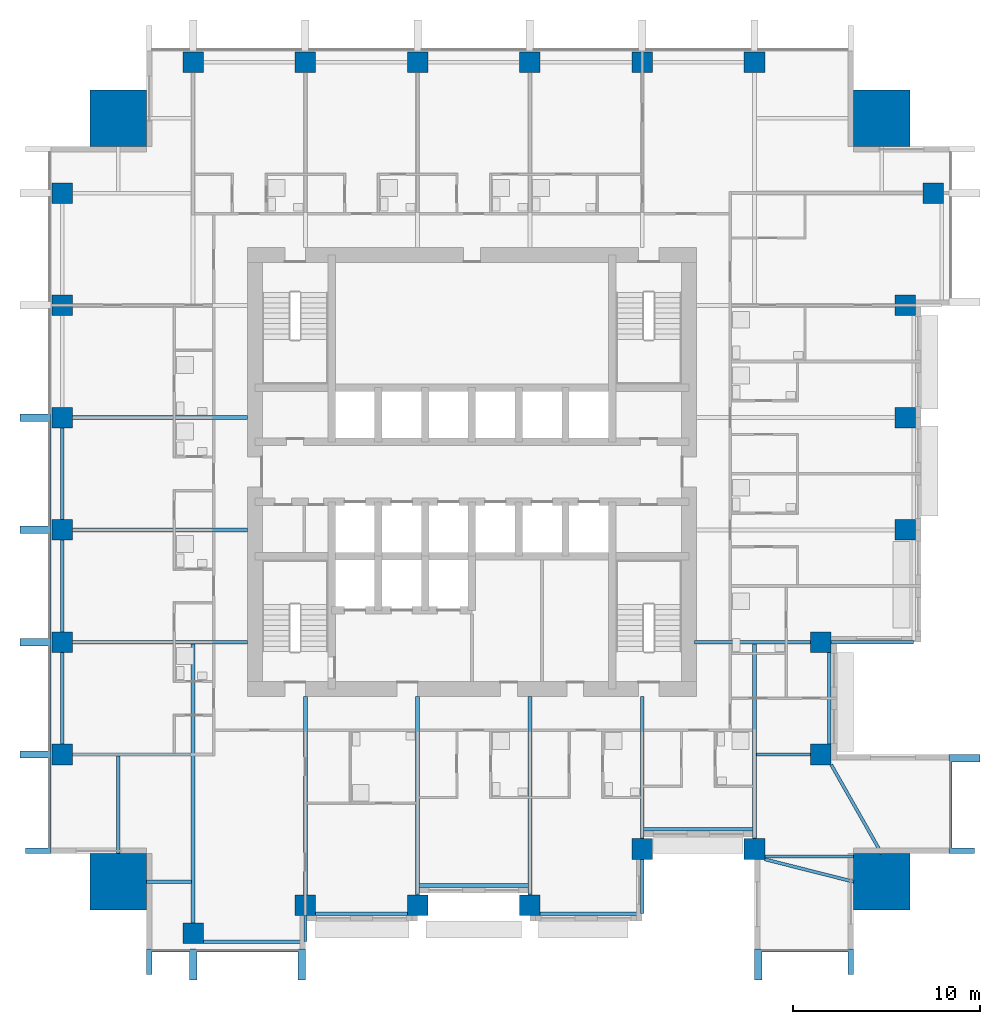
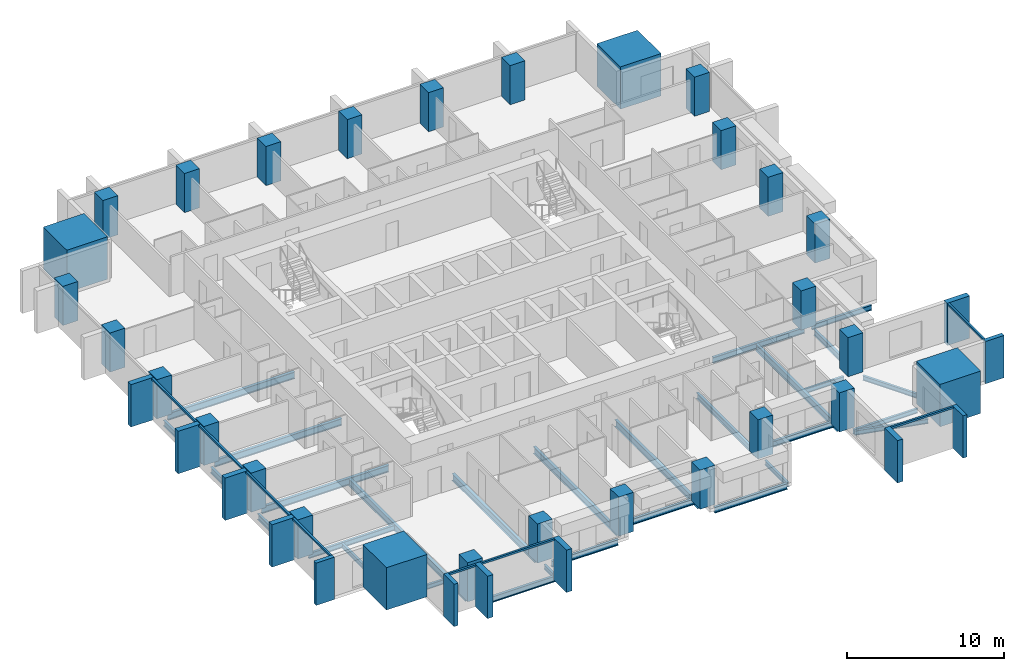
# One storey, part 1 of 11: 29 beams, 28 columns, 20 members, 4 elements without a shape of their own.
"""IFC4 building model written with IfcOpenShell, lengths in metres."""

from ifc_helpers import new_model, si_unit, direction, frame, origin, origin_2d, place, context, subcontext, project, spatial, rectangle, i_section, extrude, material, material_profile, profile_set, type_object, element, aggregate, save


model = new_model("IFC4")

# Units and contexts
model_context = context("Model", 3, precision=1e-05, world=origin(), true_north=direction((0.0, 1.0)))
body_context = subcontext(model_context, "Body", "Model", "MODEL_VIEW")
ifc_project = project(units=[si_unit("LENGTHUNIT", "METRE"), si_unit("AREAUNIT", "SQUARE_METRE"), si_unit("VOLUMEUNIT", "CUBIC_METRE"), si_unit("PLANEANGLEUNIT", "RADIAN"), si_unit("MASSUNIT", "GRAM", prefix="KILO")], contexts=[model_context])

# Site, building, storey
site_placement = place(None, origin())
site = spatial("IfcSite", under=ifc_project, at=site_placement, CompositionType="ELEMENT")
building_placement = place(site_placement, origin())
building = spatial("IfcBuilding", under=site, at=building_placement, Name="Amberfall Residences", CompositionType="ELEMENT")
storey_placement = place(building_placement, frame((0.0, 0.0, 95.199951171875)))
storey = spatial("IfcBuildingStorey", under=building, at=storey_placement, Name="L25", CompositionType="ELEMENT", Elevation=95.199951171875)

# Columns
ifc_material_1 = material(Name="Concrete C70", Category="concrete")
ifc_material_profile_1 = material_profile(ifc_material_1, rectangle(XDim=1.10009765625, YDim=1.10009765625, at=origin_2d()), Name="Column 1100 x 1100 C70")
ifc_profile_set_1 = profile_set([ifc_material_profile_1], Name="Concrete C70")
column_type_1 = type_object("IfcColumnType", Name="Column 1100 x 1100 C70", PredefinedType="COLUMN", material=ifc_profile_set_1)
for number, where, z_axis, x_axis, name in (
    (1, (59.60009765625, 20.85009765625, 0.0), (0.0, 0.0, 1.0), (1.0, 0.0, 0.0), "Column C2 L25 S1"),
    (2, (65.60009765625, 22.35009765625, 0.0), (0.0, 0.0, 1.0), (1.0, 0.0, 0.0), "Column C2 L25 S2"),
    (3, (71.60009765625, 22.35009765625, 0.0), (0.0, 0.0, 1.0), (1.0, 0.0, 0.0), "Column C2 L25 S3"),
    (4, (77.60009765625, 22.35009765625, 0.0), (0.0, 0.0, 1.0), (1.0, 0.0, 0.0), "Column C2 L25 S4"),
    (5, (83.60009765625, 25.35009765625, 0.0), (0.0, 0.0, 1.0), (1.0, 0.0, 0.0), "Column C2 L25 S5"),
    (6, (89.60009765625, 25.35009765625, 0.0), (0.0, 0.0, 1.0), (1.0, 0.0, 0.0), "Column C2 L25 S6"),
    (7, (93.14990234375, 30.39990234375, 0.0), (0.0, 0.0, 1.0), (1.0, 0.0, 0.0), "Column C2 L25 E1"),
    (8, (93.14990234375, 36.39990234375, 0.0), (0.0, 0.0, 1.0), (1.0, 0.0, 0.0), "Column C2 L25 E2"),
    (9, (97.64990234375, 42.39990234375, 0.0), (0.0, 0.0, 1.0), (1.0, 0.0, 0.0), "Column C2 L25 E3"),
    (10, (97.64990234375, 48.39990234375, 0.0), (0.0, 0.0, 1.0), (1.0, 0.0, 0.0), "Column C2 L25 E4"),
    (11, (97.64990234375, 54.39990234375, 0.0), (0.0, 0.0, 1.0), (1.0, 0.0, 0.0), "Column C2 L25 E5"),
    (12, (99.14990234375, 60.39990234375, 0.0), (0.0, 0.0, 1.0), (1.0, 0.0, 0.0), "Column C2 L25 E6"),
    (13, (59.60009765625, 67.39990234375, 0.0), (0.0, 0.0, 1.0), (1.0, 0.0, 0.0), "Column C2 L25 N1"),
    (14, (65.60009765625, 67.39990234375, 0.0), (0.0, 0.0, 1.0), (1.0, 0.0, 0.0), "Column C2 L25 N2"),
    (15, (71.60009765625, 67.39990234375, 0.0), (0.0, 0.0, 1.0), (1.0, 0.0, 0.0), "Column C2 L25 N3"),
    (16, (77.60009765625, 67.39990234375, 0.0), (0.0, 0.0, 1.0), (1.0, 0.0, 0.0), "Column C2 L25 N4"),
    (17, (83.60009765625, 67.39990234375, 0.0), (0.0, 0.0, 1.0), (1.0, 0.0, 0.0), "Column C2 L25 N5"),
    (18, (89.60009765625, 67.39990234375, 0.0), (0.0, 0.0, 1.0), (1.0, 0.0, 0.0), "Column C2 L25 N6"),
    (19, (52.60009765625, 30.39990234375, 0.0), (0.0, 0.0, 1.0), (1.0, 0.0, 0.0), "Column C2 L25 W1"),
    (20, (52.60009765625, 36.39990234375, 0.0), (0.0, 0.0, 1.0), (1.0, 0.0, 0.0), "Column C2 L25 W2"),
    (21, (52.60009765625, 42.39990234375, 0.0), (0.0, 0.0, 1.0), (1.0, 0.0, 0.0), "Column C2 L25 W3"),
    (22, (52.60009765625, 48.39990234375, 0.0), (0.0, 0.0, 1.0), (1.0, 0.0, 0.0), "Column C2 L25 W4"),
    (23, (52.60009765625, 54.39990234375, 0.0), (0.0, 0.0, 1.0), (1.0, 0.0, 0.0), "Column C2 L25 W5"),
    (24, (52.60009765625, 60.39990234375, 0.0), (0.0, 0.0, 1.0), (1.0, 0.0, 0.0), "Column C2 L25 W6"),
):
    element("IfcColumn", number, at=place(storey_placement, frame(where, z_axis=z_axis, x_axis=x_axis)), inside=storey, type_object=column_type_1, Name=name, PredefinedType="COLUMN", context=body_context, shape_type="SweptSolid", body=[
        extrude(rectangle(XDim=1.10009765625, YDim=1.10009765625, at=origin_2d()), origin(), (0.0, 0.0, 1.0), 3.050048828125),
    ])
ifc_material_profile_2 = material_profile(ifc_material_1, rectangle(XDim=3.0, YDim=3.0, at=origin_2d()), Name="Mega column 3000 x 3000 C70")
ifc_profile_set_2 = profile_set([ifc_material_profile_2], Name="Concrete C70")
column_type_2 = type_object("IfcColumnType", Name="Mega column 3000 x 3000 C70", PredefinedType="COLUMN", material=ifc_profile_set_2)
for number, where, z_axis, x_axis, name in (
    (25, (55.60009765625, 23.60009765625, 0.0), (0.0, 0.0, 1.0), (1.0, 0.0, 0.0), "Mega column MC2 L25 SW"),
    (26, (96.39990234375, 23.60009765625, 0.0), (0.0, 0.0, 1.0), (1.0, 0.0, 0.0), "Mega column MC2 L25 SE"),
    (27, (96.39990234375, 64.39990234375, 0.0), (0.0, 0.0, 1.0), (1.0, 0.0, 0.0), "Mega column MC2 L25 NE"),
    (28, (55.60009765625, 64.39990234375, 0.0), (0.0, 0.0, 1.0), (1.0, 0.0, 0.0), "Mega column MC2 L25 NW"),
):
    element("IfcColumn", number, at=place(storey_placement, frame(where, z_axis=z_axis, x_axis=x_axis)), inside=storey, type_object=column_type_2, Name=name, PredefinedType="COLUMN", context=body_context, shape_type="SweptSolid", body=[
        extrude(rectangle(XDim=3.0, YDim=3.0, at=origin_2d()), origin(), (0.0, 0.0, 1.0), 3.300048828125),
    ])

# Curtain wall, members
ifc_material_2 = material(Name="Bronze anodised aluminium and glass", Category="aluminium")
curtain_wall_type = type_object("IfcCurtainWallType", Name="Curtain wall CW1 tower unit", PredefinedType="USERDEFINED", material=ifc_material_2)
curtain_wall_1_placement = place(storey_placement, origin())
curtain_wall_1 = element("IfcCurtainWall", 29, at=curtain_wall_1_placement, inside=storey, type_object=curtain_wall_type, Name="Curtain wall L25 S S1", ObjectType="UNITISED CURTAIN WALL", PredefinedType="USERDEFINED")
ifc_material_3 = material(Name="Bronze anodised aluminium", Category="aluminium")
ifc_material_profile_3 = material_profile(ifc_material_3, rectangle(XDim=0.14990234375, YDim=0.14990234375, at=origin_2d()), Name="CW1 transom 150 x 150 bronze")
ifc_profile_set_3 = profile_set([ifc_material_profile_3], Name="Bronze anodised aluminium")
member_type_1 = type_object("IfcMemberType", Name="CW1 transom 150 x 150 bronze", PredefinedType="USERDEFINED", material=ifc_profile_set_3)
member_1_placement = place(storey_placement, frame((57.39990234375, 19.925048828125, 2.97509765625), z_axis=(1.0, 0.0, 0.0), x_axis=(0.0, 1.0, 0.0)))
member_1 = element("IfcMember", 30, at=member_1_placement, type_object=member_type_1, Name="CW1 transom 1.1", ObjectType="TRANSOM", PredefinedType="USERDEFINED", context=body_context, shape_type="SweptSolid", body=[
    extrude(rectangle(XDim=0.14990234375, YDim=0.14990234375, at=origin_2d()), origin(), (0.0, 0.0, 1.0), 2.0),
])
member_2_placement = place(storey_placement, frame((59.800048828125, 19.925048828125, 2.97509765625), z_axis=(1.0, 0.0, 0.0), x_axis=(0.0, 1.0, 0.0)))
member_2 = element("IfcMember", 31, at=member_2_placement, type_object=member_type_1, Name="CW1 transom 2.1", ObjectType="TRANSOM", PredefinedType="USERDEFINED", context=body_context, shape_type="SweptSolid", body=[
    extrude(rectangle(XDim=0.14990234375, YDim=0.14990234375, at=origin_2d()), origin(), (0.0, 0.0, 1.0), 5.39990234375),
])

# Curtain wall, member
curtain_wall_2_placement = place(storey_placement, origin())
curtain_wall_2 = element("IfcCurtainWall", 32, at=curtain_wall_2_placement, inside=storey, type_object=curtain_wall_type, Name="Curtain wall L25 S S11", ObjectType="UNITISED CURTAIN WALL", PredefinedType="USERDEFINED")
member_3_placement = place(storey_placement, frame((90.0, 19.925048828125, 2.97509765625), z_axis=(1.0, 0.0, 0.0), x_axis=(0.0, 1.0, 0.0)))
member_3 = element("IfcMember", 33, at=member_3_placement, type_object=member_type_1, Name="CW1 transom 1.1", ObjectType="TRANSOM", PredefinedType="USERDEFINED", context=body_context, shape_type="SweptSolid", body=[
    extrude(rectangle(XDim=0.14990234375, YDim=0.14990234375, at=origin_2d()), origin(), (0.0, 0.0, 1.0), 4.60009765625),
])

curtain_wall_3_placement = place(storey_placement, origin())
curtain_wall_3 = element("IfcCurtainWall", 34, at=curtain_wall_3_placement, inside=storey, type_object=curtain_wall_type, Name="Curtain wall L25 E E1", ObjectType="UNITISED CURTAIN WALL", PredefinedType="USERDEFINED")
member_4_placement = place(storey_placement, frame((100.074951171875, 25.39990234375, 2.97509765625), z_axis=(0.0, 1.0, 0.0), x_axis=(-1.0, 0.0, 0.0)))
member_4 = element("IfcMember", 35, at=member_4_placement, type_object=member_type_1, Name="CW1 transom 1.1", ObjectType="TRANSOM", PredefinedType="USERDEFINED", context=body_context, shape_type="SweptSolid", body=[
    extrude(rectangle(XDim=0.14990234375, YDim=0.14990234375, at=origin_2d()), origin(), (0.0, 0.0, 1.0), 4.60009765625),
])

# Curtain wall, members
curtain_wall_4_placement = place(storey_placement, origin())
curtain_wall_4 = element("IfcCurtainWall", 36, at=curtain_wall_4_placement, inside=storey, type_object=curtain_wall_type, Name="Curtain wall L25 W W1", ObjectType="UNITISED CURTAIN WALL", PredefinedType="USERDEFINED")
member_5_placement = place(storey_placement, frame((51.925048828125, 48.199951171875, 2.97509765625), z_axis=(0.0, -1.0, 0.0), x_axis=(1.0, 0.0, 0.0)))
member_5 = element("IfcMember", 37, at=member_5_placement, type_object=member_type_1, Name="CW1 transom 4.1", ObjectType="TRANSOM", PredefinedType="USERDEFINED", context=body_context, shape_type="SweptSolid", body=[
    extrude(rectangle(XDim=0.14990234375, YDim=0.14990234375, at=origin_2d()), origin(), (0.0, 0.0, 1.0), 5.599853515625),
])
member_6_placement = place(storey_placement, frame((51.925048828125, 42.199951171875, 2.97509765625), z_axis=(0.0, -1.0, 0.0), x_axis=(1.0, 0.0, 0.0)))
member_6 = element("IfcMember", 38, at=member_6_placement, type_object=member_type_1, Name="CW1 transom 5.1", ObjectType="TRANSOM", PredefinedType="USERDEFINED", context=body_context, shape_type="SweptSolid", body=[
    extrude(rectangle(XDim=0.14990234375, YDim=0.14990234375, at=origin_2d()), origin(), (0.0, 0.0, 1.0), 5.599853515625),
])
member_7_placement = place(storey_placement, frame((51.925048828125, 36.199951171875, 2.97509765625), z_axis=(0.0, -1.0, 0.0), x_axis=(1.0, 0.0, 0.0)))
member_7 = element("IfcMember", 39, at=member_7_placement, type_object=member_type_1, Name="CW1 transom 6.1", ObjectType="TRANSOM", PredefinedType="USERDEFINED", context=body_context, shape_type="SweptSolid", body=[
    extrude(rectangle(XDim=0.14990234375, YDim=0.14990234375, at=origin_2d()), origin(), (0.0, 0.0, 1.0), 5.599853515625),
])
member_8_placement = place(storey_placement, frame((51.925048828125, 30.199951171875, 2.97509765625), z_axis=(0.0, -1.0, 0.0), x_axis=(1.0, 0.0, 0.0)))
member_8 = element("IfcMember", 40, at=member_8_placement, type_object=member_type_1, Name="CW1 transom 7.1", ObjectType="TRANSOM", PredefinedType="USERDEFINED", context=body_context, shape_type="SweptSolid", body=[
    extrude(rectangle(XDim=0.14990234375, YDim=0.14990234375, at=origin_2d()), origin(), (0.0, 0.0, 1.0), 4.800048828125),
])

# Beams
ifc_material_4 = material(Name="Steel S355", Category="steel")
ifc_material_profile_4 = material_profile(ifc_material_4, i_section(OverallWidth=0.171142578125, OverallDepth=0.351318359375, WebThickness=0.007080078125, FlangeThickness=0.009765625, FilletRadius=0.01025390625, at=origin_2d()), Name="UB 356x171x45")
ifc_profile_set_4 = profile_set([ifc_material_profile_4], Name="Steel S355")
beam_type_1 = type_object("IfcBeamType", Name="Cantilever girder UB 356x171x45", PredefinedType="BEAM", material=ifc_profile_set_4)
beam_1_placement = place(storey_placement, frame((65.60009765625, 21.800048828125, -0.425537109375), z_axis=(0.0, -1.0, 0.0), x_axis=(1.0, 0.0, 0.0)))
element("IfcBeam", 41, at=beam_1_placement, inside=storey, type_object=beam_type_1, Name="Cantilever girder B8 L25 06", PredefinedType="BEAM", context=body_context, shape_type="SweptSolid", body=[
    extrude(i_section(OverallWidth=0.171142578125, OverallDepth=0.351318359375, WebThickness=0.007080078125, FlangeThickness=0.009765625, FilletRadius=0.01025390625, at=origin_2d()), origin(), (0.0, 0.0, 1.0), 1.400146484375),
])
beam_2_placement = place(storey_placement, frame((83.60009765625, 24.800048828125, -0.425537109375), z_axis=(0.0, -1.0, 0.0), x_axis=(1.0, 0.0, 0.0)))
element("IfcBeam", 42, at=beam_2_placement, inside=storey, type_object=beam_type_1, Name="Cantilever girder B8 L25 07", PredefinedType="BEAM", context=body_context, shape_type="SweptSolid", body=[
    extrude(i_section(OverallWidth=0.171142578125, OverallDepth=0.351318359375, WebThickness=0.007080078125, FlangeThickness=0.009765625, FilletRadius=0.01025390625, at=origin_2d()), origin(), (0.0, 0.0, 1.0), 2.900146484375),
])
ifc_material_profile_5 = material_profile(ifc_material_4, i_section(OverallWidth=0.177734375, OverallDepth=0.402587890625, WebThickness=0.0078125, FlangeThickness=0.010986328125, FilletRadius=0.01025390625, at=origin_2d()), Name="UB 406x178x54")
ifc_profile_set_5 = profile_set([ifc_material_profile_5], Name="Steel S355")
beam_type_2 = type_object("IfcBeamType", Name="Cantilever girder UB 406x178x54", PredefinedType="BEAM", material=ifc_profile_set_5)
beam_3_placement = place(storey_placement, frame((93.699951171875, 36.39990234375, -0.451171875), z_axis=(1.0, 0.0, 0.0), x_axis=(0.0, 1.0, 0.0)))
element("IfcBeam", 43, at=beam_3_placement, inside=storey, type_object=beam_type_2, Name="Cantilever girder B9 L25 19", PredefinedType="BEAM", context=body_context, shape_type="SweptSolid", body=[
    extrude(i_section(OverallWidth=0.177734375, OverallDepth=0.402587890625, WebThickness=0.0078125, FlangeThickness=0.010986328125, FilletRadius=0.01025390625, at=origin_2d()), origin(), (0.0, 0.0, 1.0), 4.400146484375),
])

# Member
ifc_material_profile_6 = material_profile(ifc_material_3, rectangle(XDim=1.35009765625, YDim=0.300048828125, at=origin_2d()), Name="Corner fin 300 x 1350 bronze")
ifc_profile_set_6 = profile_set([ifc_material_profile_6], Name="Bronze anodised aluminium")
member_type_2 = type_object("IfcMemberType", Name="Corner fin 300 x 1350 bronze", PredefinedType="MULLION", material=ifc_profile_set_6)
member_9_placement = place(storey_placement, frame((57.25, 19.324951171875, -0.25), z_axis=(0.0, 0.0, 1.0), x_axis=(0.0, 1.0, 0.0)))
member_9 = element("IfcMember", 44, at=member_9_placement, type_object=member_type_2, Name="CW FIN 1", PredefinedType="MULLION", context=body_context, shape_type="SweptSolid", body=[
    extrude(rectangle(XDim=1.35009765625, YDim=0.300048828125, at=origin_2d()), origin(), (0.0, 0.0, 1.0), 3.300048828125),
])

member_10_placement = place(storey_placement, frame((94.75, 19.324951171875, -0.25), z_axis=(0.0, 0.0, 1.0), x_axis=(0.0, 1.0, 0.0)))
member_10 = element("IfcMember", 45, at=member_10_placement, type_object=member_type_2, Name="CW FIN 2", PredefinedType="MULLION", context=body_context, shape_type="SweptSolid", body=[
    extrude(rectangle(XDim=1.35009765625, YDim=0.300048828125, at=origin_2d()), origin(), (0.0, 0.0, 1.0), 3.300048828125),
])

member_11_placement = place(storey_placement, frame((100.675048828125, 25.25, -0.25), z_axis=(0.0, 0.0, 1.0), x_axis=(-1.0, 0.0, 0.0)))
member_11 = element("IfcMember", 46, at=member_11_placement, type_object=member_type_2, Name="CW FIN 1", PredefinedType="MULLION", context=body_context, shape_type="SweptSolid", body=[
    extrude(rectangle(XDim=1.35009765625, YDim=0.300048828125, at=origin_2d()), origin(), (0.0, 0.0, 1.0), 3.300048828125),
])

member_12_placement = place(storey_placement, frame((51.324951171875, 25.25, -0.25), z_axis=(0.0, 0.0, 1.0), x_axis=(1.0, 0.0, 0.0)))
member_12 = element("IfcMember", 47, at=member_12_placement, type_object=member_type_2, Name="CW FIN 8", PredefinedType="MULLION", context=body_context, shape_type="SweptSolid", body=[
    extrude(rectangle(XDim=1.35009765625, YDim=0.300048828125, at=origin_2d()), origin(), (0.0, 0.0, 1.0), 3.300048828125),
])

# Beams
ifc_material_profile_7 = material_profile(ifc_material_4, i_section(OverallWidth=0.18994140625, OverallDepth=0.453369140625, WebThickness=0.008544921875, FlangeThickness=0.0126953125, FilletRadius=0.01025390625, at=origin_2d()), Name="UB 457x191x67")
ifc_profile_set_7 = profile_set([ifc_material_profile_7], Name="Steel S355")
beam_type_3 = type_object("IfcBeamType", Name="Edge beam UB 457x191x67", PredefinedType="SPANDREL", material=ifc_profile_set_7)
beam_4_placement = place(storey_placement, frame((60.14990234375, 20.39990234375, -0.4765625), z_axis=(1.0, 0.0, 0.0), x_axis=(0.0, 1.0, 0.0)))
element("IfcBeam", 48, at=beam_4_placement, inside=storey, type_object=beam_type_3, Name="Edge beam B1 L25 01", PredefinedType="SPANDREL", context=body_context, shape_type="SweptSolid", body=[
    extrude(i_section(OverallWidth=0.18994140625, OverallDepth=0.453369140625, WebThickness=0.008544921875, FlangeThickness=0.0126953125, FilletRadius=0.01025390625, at=origin_2d()), origin(), (0.0, 0.0, 1.0), 5.3701171875),
])
beam_5_placement = place(storey_placement, frame((66.14990234375, 21.89990234375, -0.4765625), z_axis=(1.0, 0.0, 0.0), x_axis=(0.0, 1.0, 0.0)))
element("IfcBeam", 49, at=beam_5_placement, inside=storey, type_object=beam_type_3, Name="Edge beam B1 L25 02", PredefinedType="SPANDREL", context=body_context, shape_type="SweptSolid", body=[
    extrude(i_section(OverallWidth=0.18994140625, OverallDepth=0.453369140625, WebThickness=0.008544921875, FlangeThickness=0.0126953125, FilletRadius=0.01025390625, at=origin_2d()), origin(), (0.0, 0.0, 1.0), 4.900146484375),
])
beam_6_placement = place(storey_placement, frame((71.679931640625, 23.39990234375, -0.4765625), z_axis=(1.0, 0.0, 0.0), x_axis=(0.0, 1.0, 0.0)))
element("IfcBeam", 50, at=beam_6_placement, inside=storey, type_object=beam_type_3, Name="Edge beam B1 L25 03", PredefinedType="SPANDREL", context=body_context, shape_type="SweptSolid", body=[
    extrude(i_section(OverallWidth=0.18994140625, OverallDepth=0.453369140625, WebThickness=0.008544921875, FlangeThickness=0.0126953125, FilletRadius=0.01025390625, at=origin_2d()), origin(), (0.0, 0.0, 1.0), 5.840087890625),
])
beam_7_placement = place(storey_placement, frame((78.14990234375, 21.89990234375, -0.4765625), z_axis=(1.0, 0.0, 0.0), x_axis=(0.0, 1.0, 0.0)))
element("IfcBeam", 51, at=beam_7_placement, inside=storey, type_object=beam_type_3, Name="Edge beam B1 L25 04", PredefinedType="SPANDREL", context=body_context, shape_type="SweptSolid", body=[
    extrude(i_section(OverallWidth=0.18994140625, OverallDepth=0.453369140625, WebThickness=0.008544921875, FlangeThickness=0.0126953125, FilletRadius=0.01025390625, at=origin_2d()), origin(), (0.0, 0.0, 1.0), 5.3701171875),
])
beam_8_placement = place(storey_placement, frame((83.679931640625, 26.39990234375, -0.4765625), z_axis=(1.0, 0.0, 0.0), x_axis=(0.0, 1.0, 0.0)))
element("IfcBeam", 52, at=beam_8_placement, inside=storey, type_object=beam_type_3, Name="Edge beam B1 L25 05", PredefinedType="SPANDREL", context=body_context, shape_type="SweptSolid", body=[
    extrude(i_section(OverallWidth=0.18994140625, OverallDepth=0.453369140625, WebThickness=0.008544921875, FlangeThickness=0.0126953125, FilletRadius=0.01025390625, at=origin_2d()), origin(), (0.0, 0.0, 1.0), 5.840087890625),
])
for number, where, z_axis, x_axis, name in (
    (53, (93.60009765625, 30.949951171875, -0.4765625), (0.0, 1.0, 0.0), (-1.0, 0.0, 0.0), "Edge beam B1 L25 14"),
    (54, (52.60009765625, 30.949951171875, -0.4765625), (0.0, 1.0, 0.0), (-1.0, 0.0, 0.0), "Edge beam B1 L25 38"),
    (55, (52.60009765625, 36.949951171875, -0.4765625), (0.0, 1.0, 0.0), (-1.0, 0.0, 0.0), "Edge beam B1 L25 39"),
    (56, (52.60009765625, 42.949951171875, -0.4765625), (0.0, 1.0, 0.0), (-1.0, 0.0, 0.0), "Edge beam B1 L25 40"),
):
    element("IfcBeam", number, at=place(storey_placement, frame(where, z_axis=z_axis, x_axis=x_axis)), inside=storey, type_object=beam_type_3, Name=name, PredefinedType="SPANDREL", context=body_context, shape_type="SweptSolid", body=[
        extrude(i_section(OverallWidth=0.18994140625, OverallDepth=0.453369140625, WebThickness=0.008544921875, FlangeThickness=0.0126953125, FilletRadius=0.01025390625, at=origin_2d()), origin(), (0.0, 0.0, 1.0), 4.900146484375),
    ])

# Member
ifc_material_profile_8 = material_profile(ifc_material_3, rectangle(XDim=1.64990234375, YDim=0.39990234375, at=origin_2d()), Name="Fin 400 x 1650 bronze")
ifc_profile_set_8 = profile_set([ifc_material_profile_8], Name="Bronze anodised aluminium")
member_type_3 = type_object("IfcMemberType", Name="Fin 400 x 1650 bronze", PredefinedType="MULLION", material=ifc_profile_set_8)
member_13_placement = place(storey_placement, frame((59.60009765625, 19.175048828125, -0.25), z_axis=(0.0, 0.0, 1.0), x_axis=(0.0, 1.0, 0.0)))
member_13 = element("IfcMember", 57, at=member_13_placement, type_object=member_type_3, Name="CW FIN 2", PredefinedType="MULLION", context=body_context, shape_type="SweptSolid", body=[
    extrude(rectangle(XDim=1.64990234375, YDim=0.39990234375, at=origin_2d()), origin(), (0.0, 0.0, 1.0), 3.300048828125),
])

member_14_placement = place(storey_placement, frame((65.39990234375, 19.175048828125, -0.25), z_axis=(0.0, 0.0, 1.0), x_axis=(0.0, 1.0, 0.0)))
member_14 = element("IfcMember", 58, at=member_14_placement, type_object=member_type_3, Name="CW FIN 3", PredefinedType="MULLION", context=body_context, shape_type="SweptSolid", body=[
    extrude(rectangle(XDim=1.64990234375, YDim=0.39990234375, at=origin_2d()), origin(), (0.0, 0.0, 1.0), 3.300048828125),
])

aggregate(curtain_wall_1, [member_9, member_13, member_14, member_1, member_2])

member_15_placement = place(storey_placement, frame((89.800048828125, 19.175048828125, -0.25), z_axis=(0.0, 0.0, 1.0), x_axis=(0.0, 1.0, 0.0)))
member_15 = element("IfcMember", 59, at=member_15_placement, type_object=member_type_3, Name="CW FIN 1", PredefinedType="MULLION", context=body_context, shape_type="SweptSolid", body=[
    extrude(rectangle(XDim=1.64990234375, YDim=0.39990234375, at=origin_2d()), origin(), (0.0, 0.0, 1.0), 3.300048828125),
])

aggregate(curtain_wall_2, [member_15, member_10, member_3])

member_16_placement = place(storey_placement, frame((100.824951171875, 30.199951171875, -0.25), z_axis=(0.0, 0.0, 1.0), x_axis=(-1.0, 0.0, 0.0)))
member_16 = element("IfcMember", 60, at=member_16_placement, type_object=member_type_3, Name="CW FIN 2", PredefinedType="MULLION", context=body_context, shape_type="SweptSolid", body=[
    extrude(rectangle(XDim=1.64990234375, YDim=0.39990234375, at=origin_2d()), origin(), (0.0, 0.0, 1.0), 3.300048828125),
])

aggregate(curtain_wall_3, [member_11, member_16, member_4])

member_17_placement = place(storey_placement, frame((51.175048828125, 48.39990234375, -0.25), z_axis=(0.0, 0.0, 1.0), x_axis=(1.0, 0.0, 0.0)))
member_17 = element("IfcMember", 61, at=member_17_placement, type_object=member_type_3, Name="CW FIN 4", PredefinedType="MULLION", context=body_context, shape_type="SweptSolid", body=[
    extrude(rectangle(XDim=1.64990234375, YDim=0.39990234375, at=origin_2d()), origin(), (0.0, 0.0, 1.0), 3.300048828125),
])

member_18_placement = place(storey_placement, frame((51.175048828125, 42.39990234375, -0.25), z_axis=(0.0, 0.0, 1.0), x_axis=(1.0, 0.0, 0.0)))
member_18 = element("IfcMember", 62, at=member_18_placement, type_object=member_type_3, Name="CW FIN 5", PredefinedType="MULLION", context=body_context, shape_type="SweptSolid", body=[
    extrude(rectangle(XDim=1.64990234375, YDim=0.39990234375, at=origin_2d()), origin(), (0.0, 0.0, 1.0), 3.300048828125),
])

member_19_placement = place(storey_placement, frame((51.175048828125, 36.39990234375, -0.25), z_axis=(0.0, 0.0, 1.0), x_axis=(1.0, 0.0, 0.0)))
member_19 = element("IfcMember", 63, at=member_19_placement, type_object=member_type_3, Name="CW FIN 6", PredefinedType="MULLION", context=body_context, shape_type="SweptSolid", body=[
    extrude(rectangle(XDim=1.64990234375, YDim=0.39990234375, at=origin_2d()), origin(), (0.0, 0.0, 1.0), 3.300048828125),
])

member_20_placement = place(storey_placement, frame((51.175048828125, 30.39990234375, -0.25), z_axis=(0.0, 0.0, 1.0), x_axis=(1.0, 0.0, 0.0)))
member_20 = element("IfcMember", 64, at=member_20_placement, type_object=member_type_3, Name="CW FIN 7", PredefinedType="MULLION", context=body_context, shape_type="SweptSolid", body=[
    extrude(rectangle(XDim=1.64990234375, YDim=0.39990234375, at=origin_2d()), origin(), (0.0, 0.0, 1.0), 3.300048828125),
])

aggregate(curtain_wall_4, [member_17, member_18, member_19, member_20, member_12, member_5, member_6, member_7, member_8])

# Beams
ifc_material_profile_9 = material_profile(ifc_material_4, i_section(OverallWidth=0.171142578125, OverallDepth=0.351318359375, WebThickness=0.007080078125, FlangeThickness=0.009765625, FilletRadius=0.01025390625, at=origin_2d()), Name="UB 356x171x45")
ifc_profile_set_9 = profile_set([ifc_material_profile_9], Name="Steel S355")
beam_type_4 = type_object("IfcBeamType", Name="Floor girder UB 356x171x45", PredefinedType="BEAM", material=ifc_profile_set_9)
beam_9_placement = place(storey_placement, frame((92.60009765625, 30.39990234375, -0.425537109375), z_axis=(-1.0, 0.0, 0.0), x_axis=(0.0, -1.0, 0.0)))
element("IfcBeam", 65, at=beam_9_placement, inside=storey, type_object=beam_type_4, Name="Floor girder B11 L25 21", PredefinedType="BEAM", context=body_context, shape_type="SweptSolid", body=[
    extrude(i_section(OverallWidth=0.171142578125, OverallDepth=0.351318359375, WebThickness=0.007080078125, FlangeThickness=0.009765625, FilletRadius=0.01025390625, at=origin_2d()), origin(), (0.0, 0.0, 1.0), 2.880126953125),
])
ifc_material_profile_10 = material_profile(ifc_material_4, i_section(OverallWidth=0.177734375, OverallDepth=0.402587890625, WebThickness=0.0078125, FlangeThickness=0.010986328125, FilletRadius=0.01025390625, at=origin_2d()), Name="UB 406x178x54")
ifc_profile_set_10 = profile_set([ifc_material_profile_10], Name="Steel S355")
beam_type_5 = type_object("IfcBeamType", Name="Floor girder UB 406x178x54", PredefinedType="BEAM", material=ifc_profile_set_10)
beam_10_placement = place(storey_placement, frame((53.14990234375, 30.39990234375, -0.451171875), z_axis=(1.0, 0.0, 0.0), x_axis=(0.0, 1.0, 0.0)))
element("IfcBeam", 66, at=beam_10_placement, inside=storey, type_object=beam_type_5, Name="Floor girder B4 L25 43", PredefinedType="BEAM", context=body_context, shape_type="SweptSolid", body=[
    extrude(i_section(OverallWidth=0.177734375, OverallDepth=0.402587890625, WebThickness=0.0078125, FlangeThickness=0.010986328125, FilletRadius=0.01025390625, at=origin_2d()), origin(), (0.0, 0.0, 1.0), 6.330078125),
])
ifc_material_profile_11 = material_profile(ifc_material_4, i_section(OverallWidth=0.19140625, OverallDepth=0.4599609375, WebThickness=0.010009765625, FlangeThickness=0.01611328125, FilletRadius=0.01025390625, at=origin_2d()), Name="UB 457x191x82")
ifc_profile_set_11 = profile_set([ifc_material_profile_11], Name="Steel S355")
beam_type_6 = type_object("IfcBeamType", Name="Floor girder UB 457x191x82", PredefinedType="BEAM", material=ifc_profile_set_11)
beam_11_placement = place(storey_placement, frame((83.60009765625, 25.89990234375, -0.47998046875), z_axis=(0.0, 1.0, 0.0), x_axis=(-1.0, 0.0, 0.0)))
element("IfcBeam", 67, at=beam_11_placement, inside=storey, type_object=beam_type_6, Name="Floor girder B10 L25 12", PredefinedType="BEAM", context=body_context, shape_type="SweptSolid", body=[
    extrude(i_section(OverallWidth=0.19140625, OverallDepth=0.4599609375, WebThickness=0.010009765625, FlangeThickness=0.01611328125, FilletRadius=0.01025390625, at=origin_2d()), origin(), (0.0, 0.0, 1.0), 7.60009765625),
])
beam_12_placement = place(storey_placement, frame((93.14990234375, 36.39990234375, -0.47998046875), z_axis=(-1.0, 0.0, 0.0), x_axis=(0.0, -1.0, 0.0)))
element("IfcBeam", 68, at=beam_12_placement, inside=storey, type_object=beam_type_6, Name="Floor girder B10 L25 22", PredefinedType="BEAM", context=body_context, shape_type="SweptSolid", body=[
    extrude(i_section(OverallWidth=0.19140625, OverallDepth=0.4599609375, WebThickness=0.010009765625, FlangeThickness=0.01611328125, FilletRadius=0.01025390625, at=origin_2d()), origin(), (0.0, 0.0, 1.0), 6.75),
])
ifc_material_profile_12 = material_profile(ifc_material_4, i_section(OverallWidth=0.210693359375, OverallDepth=0.53955078125, WebThickness=0.01171875, FlangeThickness=0.018798828125, FilletRadius=0.0126953125, at=origin_2d()), Name="UB 533x210x109")
ifc_profile_set_12 = profile_set([ifc_material_profile_12], Name="Steel S355")
beam_type_7 = type_object("IfcBeamType", Name="Floor girder UB 533x210x109", PredefinedType="BEAM", material=ifc_profile_set_12)
beam_13_placement = place(storey_placement, frame((59.60009765625, 21.39990234375, -0.519775390625), z_axis=(0.0, 1.0, 0.0), x_axis=(-1.0, 0.0, 0.0)))
element("IfcBeam", 69, at=beam_13_placement, inside=storey, type_object=beam_type_7, Name="Floor girder B2 L25 08", PredefinedType="BEAM", context=body_context, shape_type="SweptSolid", body=[
    extrude(i_section(OverallWidth=0.210693359375, OverallDepth=0.53955078125, WebThickness=0.01171875, FlangeThickness=0.018798828125, FilletRadius=0.0126953125, at=origin_2d()), origin(), (0.0, 0.0, 1.0), 14.900390625),
])
ifc_material_profile_13 = material_profile(ifc_material_4, i_section(OverallWidth=0.209228515625, OverallDepth=0.533203125, WebThickness=0.010009765625, FlangeThickness=0.015625, FilletRadius=0.0126953125, at=origin_2d()), Name="UB 533x210x92")
ifc_profile_set_13 = profile_set([ifc_material_profile_13], Name="Steel S355")
beam_type_8 = type_object("IfcBeamType", Name="Floor girder UB 533x210x92", PredefinedType="BEAM", material=ifc_profile_set_13)
for number, where, z_axis, x_axis, name in (
    (70, (65.60009765625, 22.89990234375, -0.5166015625), (0.0, 1.0, 0.0), (-1.0, 0.0, 0.0), "Floor girder B3 L25 09"),
    (71, (71.60009765625, 22.89990234375, -0.5166015625), (0.0, 1.0, 0.0), (-1.0, 0.0, 0.0), "Floor girder B3 L25 10"),
    (72, (77.60009765625, 22.89990234375, -0.5166015625), (0.0, 1.0, 0.0), (-1.0, 0.0, 0.0), "Floor girder B3 L25 11"),
):
    element("IfcBeam", number, at=place(storey_placement, frame(where, z_axis=z_axis, x_axis=x_axis)), inside=storey, type_object=beam_type_8, Name=name, PredefinedType="BEAM", context=body_context, shape_type="SweptSolid", body=[
        extrude(i_section(OverallWidth=0.209228515625, OverallDepth=0.533203125, WebThickness=0.010009765625, FlangeThickness=0.015625, FilletRadius=0.0126953125, at=origin_2d()), origin(), (0.0, 0.0, 1.0), 10.60009765625),
    ])
beam_14_placement = place(storey_placement, frame((89.60009765625, 25.89990234375, -0.5166015625), z_axis=(0.0, 1.0, 0.0), x_axis=(-1.0, 0.0, 0.0)))
element("IfcBeam", 73, at=beam_14_placement, inside=storey, type_object=beam_type_8, Name="Floor girder B3 L25 13", PredefinedType="BEAM", context=body_context, shape_type="SweptSolid", body=[
    extrude(i_section(OverallWidth=0.209228515625, OverallDepth=0.533203125, WebThickness=0.010009765625, FlangeThickness=0.015625, FilletRadius=0.0126953125, at=origin_2d()), origin(), (0.0, 0.0, 1.0), 10.409423828125),
])
for number, where, z_axis, x_axis, name in (
    (74, (53.14990234375, 36.39990234375, -0.5166015625), (1.0, 0.0, 0.0), (0.0, 1.0, 0.0), "Floor girder B3 L25 44"),
    (75, (53.14990234375, 42.39990234375, -0.5166015625), (1.0, 0.0, 0.0), (0.0, 1.0, 0.0), "Floor girder B3 L25 45"),
    (76, (53.14990234375, 48.39990234375, -0.5166015625), (1.0, 0.0, 0.0), (0.0, 1.0, 0.0), "Floor girder B3 L25 46"),
):
    element("IfcBeam", number, at=place(storey_placement, frame(where, z_axis=z_axis, x_axis=x_axis)), inside=storey, type_object=beam_type_8, Name=name, PredefinedType="BEAM", context=body_context, shape_type="SweptSolid", body=[
        extrude(i_section(OverallWidth=0.209228515625, OverallDepth=0.533203125, WebThickness=0.010009765625, FlangeThickness=0.015625, FilletRadius=0.0126953125, at=origin_2d()), origin(), (0.0, 0.0, 1.0), 9.35009765625),
    ])
ifc_material_profile_14 = material_profile(ifc_material_4, i_section(OverallWidth=0.171142578125, OverallDepth=0.351318359375, WebThickness=0.007080078125, FlangeThickness=0.009765625, FilletRadius=0.01025390625, at=origin_2d()), Name="UB 356x171x45")
ifc_profile_set_14 = profile_set([ifc_material_profile_14], Name="Steel S355")
beam_type_9 = type_object("IfcBeamType", Name="Link beam UB 356x171x45", PredefinedType="BEAM", material=ifc_profile_set_14)
beam_15_placement = place(storey_placement, frame((90.14990234375, 24.949951171875, -0.425537109375), z_axis=(1.0, 0.0, 0.0), x_axis=(0.0, 1.0, 0.0)))
element("IfcBeam", 77, at=beam_15_placement, inside=storey, type_object=beam_type_9, Name="Link beam B7 L25 49", PredefinedType="BEAM", context=body_context, shape_type="SweptSolid", body=[
    extrude(i_section(OverallWidth=0.171142578125, OverallDepth=0.351318359375, WebThickness=0.007080078125, FlangeThickness=0.009765625, FilletRadius=0.01025390625, at=origin_2d()), origin(), (0.0, 0.0, 1.0), 4.75),
])
beam_16_placement = place(storey_placement, frame((57.10009765625, 23.60009765625, -0.425537109375), z_axis=(1.0, 0.0, 0.0), x_axis=(0.0, 1.0, 0.0)))
element("IfcBeam", 78, at=beam_16_placement, inside=storey, type_object=beam_type_9, Name="Link beam B7 L25 50", PredefinedType="BEAM", context=body_context, shape_type="SweptSolid", body=[
    extrude(i_section(OverallWidth=0.171142578125, OverallDepth=0.351318359375, WebThickness=0.007080078125, FlangeThickness=0.009765625, FilletRadius=0.01025390625, at=origin_2d()), origin(), (0.0, 0.0, 1.0), 2.404541015625),
])
beam_17_placement = place(storey_placement, frame((55.60009765625, 25.10009765625, -0.425537109375), z_axis=(0.0, 1.0, 0.0), x_axis=(-1.0, 0.0, 0.0)))
element("IfcBeam", 79, at=beam_17_placement, inside=storey, type_object=beam_type_9, Name="Link beam B7 L25 51", PredefinedType="BEAM", context=body_context, shape_type="SweptSolid", body=[
    extrude(i_section(OverallWidth=0.171142578125, OverallDepth=0.351318359375, WebThickness=0.007080078125, FlangeThickness=0.009765625, FilletRadius=0.01025390625, at=origin_2d()), origin(), (0.0, 0.0, 1.0), 5.22119140625),
])
beam_18_placement = place(storey_placement, frame((94.89990234375, 23.60009765625, -0.425537109375), z_axis=(-0.969541561087, 0.244926848928, 0.0), x_axis=(-0.244926848928, -0.969541561087, 0.0)))
element("IfcBeam", 80, at=beam_18_placement, inside=storey, type_object=beam_type_9, Name="Link beam B7 L25 52", PredefinedType="BEAM", context=body_context, shape_type="SweptSolid", body=[
    extrude(i_section(OverallWidth=0.171142578125, OverallDepth=0.351318359375, WebThickness=0.007080078125, FlangeThickness=0.009765625, FilletRadius=0.01025390625, at=origin_2d()), origin(), (0.0, 0.0, 1.0), 4.899169921875),
])
beam_19_placement = place(storey_placement, frame((96.39990234375, 25.10009765625, -0.425537109375), z_axis=(-0.494159870511, 0.869371049884, 0.0), x_axis=(-0.869371049884, -0.494159870511, 0.0)))
element("IfcBeam", 81, at=beam_19_placement, inside=storey, type_object=beam_type_9, Name="Link beam B7 L25 53", PredefinedType="BEAM", context=body_context, shape_type="SweptSolid", body=[
    extrude(i_section(OverallWidth=0.171142578125, OverallDepth=0.351318359375, WebThickness=0.007080078125, FlangeThickness=0.009765625, FilletRadius=0.01025390625, at=origin_2d()), origin(), (0.0, 0.0, 1.0), 5.463623046875),
])

save(model, "model.ifc")
